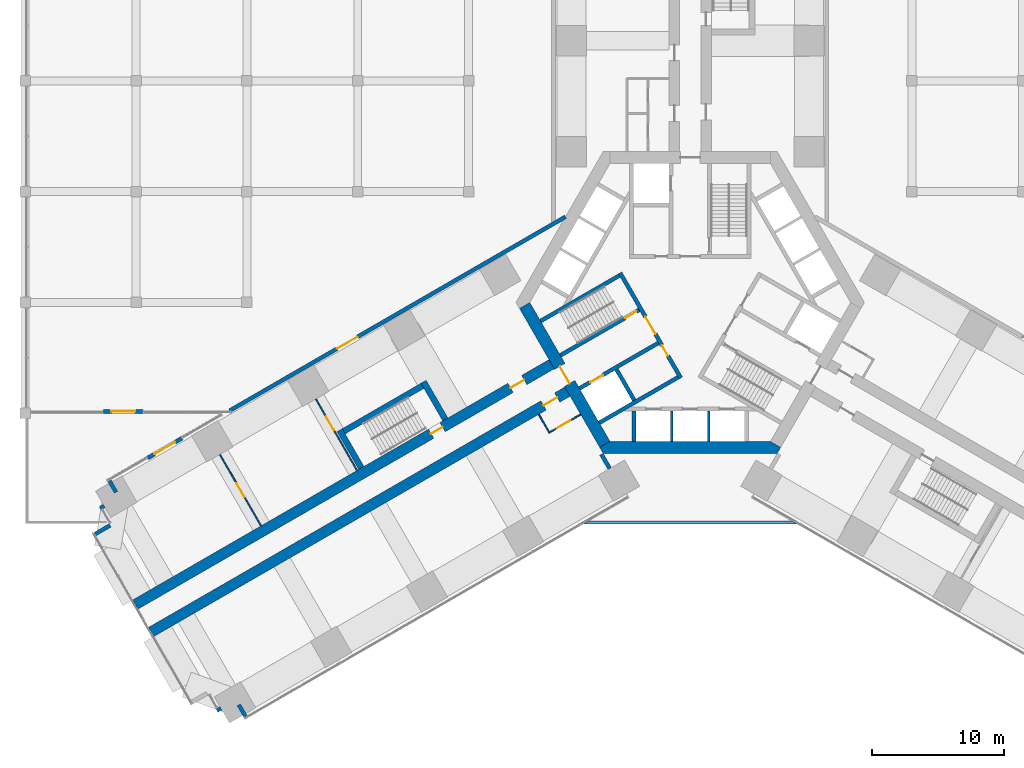
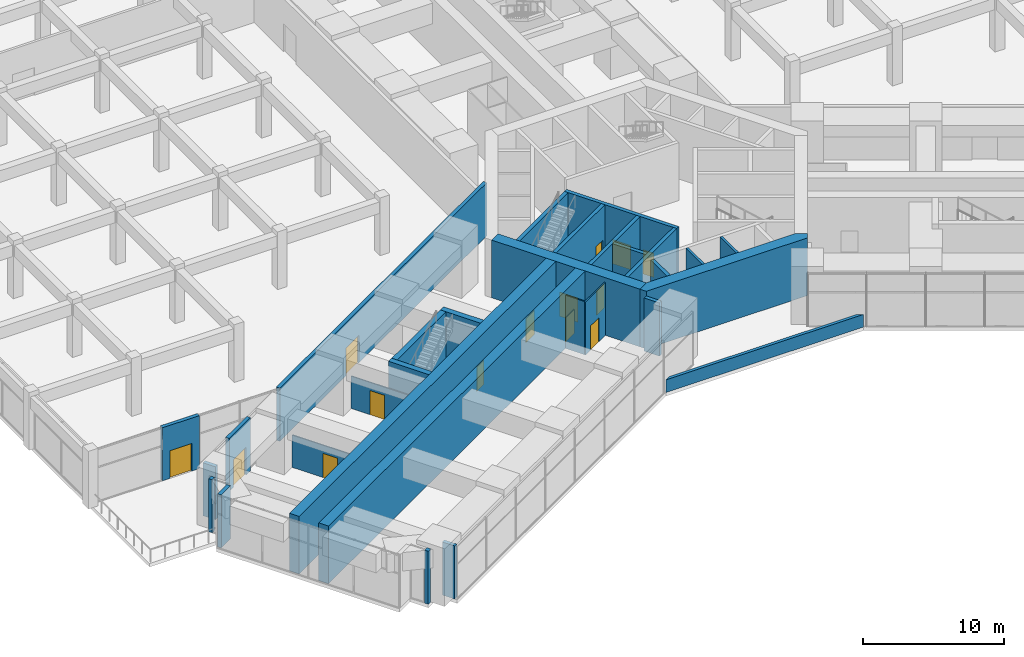
# One storey, part 27 of 33: 30 walls, 14 doors, 14 openings.
"""IFC4 building model written with IfcOpenShell, lengths in metres."""

from ifc_helpers import new_model, si_unit, direction, frame, frame_2d, origin, place, context, subcontext, project, spatial, polyline, rectangle, outline, extrude, material, layer, layer_set, type_object, element, fill, save


model = new_model("IFC4")

# Units and contexts
model_context = context("Model", 3, precision=1e-05, world=origin(), true_north=direction((0.0, 1.0)))
body_context = subcontext(model_context, "Body", "Model", "MODEL_VIEW")
ifc_project = project(units=[si_unit("LENGTHUNIT", "METRE"), si_unit("AREAUNIT", "SQUARE_METRE"), si_unit("VOLUMEUNIT", "CUBIC_METRE"), si_unit("PLANEANGLEUNIT", "RADIAN"), si_unit("MASSUNIT", "GRAM", prefix="KILO")], contexts=[model_context])

# Site, building, storey
site_placement = place(None, origin())
site = spatial("IfcSite", under=ifc_project, at=site_placement, CompositionType="ELEMENT")
building_placement = place(site_placement, origin())
building = spatial("IfcBuilding", under=site, at=building_placement, Name="Impinga Residences", CompositionType="ELEMENT")
storey_placement = place(building_placement, frame((0.0, 0.0, 21.0)))
storey = spatial("IfcBuildingStorey", under=building, at=storey_placement, Name="L04", CompositionType="ELEMENT", Elevation=21.0)

# Wall, opening, door
ifc_material_1 = material(Name="Concrete C70/85", Category="concrete")
ifc_layer_1 = layer(ifc_material_1, 0.800048828125)
ifc_layer_set_1 = layer_set([ifc_layer_1], Name="Concrete C70/85")
wall_type_1 = type_object("IfcWallType", Name="BW0 corridor buttress wall, B3 to L04 800", PredefinedType="SHEAR", material=ifc_layer_set_1)
wall_1_placement = place(storey_placement, frame((-8.910400390625, -6.530029296875, 0.0), z_axis=(0.0, 0.0, 1.0), x_axis=(-0.866026214035, -0.499998596603, 0.0)))
wall_1 = element("IfcWall", 1, at=wall_1_placement, inside=storey, type_object=wall_type_1, Name="Corridor wall BW0 WC L04", PredefinedType="SHEAR", context=body_context, shape_type="SweptSolid", body=[
    extrude(rectangle(XDim=36.8876953125, YDim=0.800048828125, at=frame_2d((18.44384765625, 0.0))), origin(), (0.0, 0.0, 1.0), 5.0),
])
opening_1_placement = place(wall_1_placement, frame((1.35009765625, 0.0, 0.0)))
opening_1 = element("IfcOpeningElement", 2, at=opening_1_placement, cuts=wall_1, Name="Opening D3", PredefinedType="OPENING", context=body_context, shape_type="SweptSolid", body=[
    extrude(rectangle(XDim=1.199951171875, YDim=2.10009765625, at=frame_2d((0.60009765625, 1.050048828125))), frame((0.0, 0.409912109375, 0.0), z_axis=(0.0, -1.0, 0.0), x_axis=(1.0, 0.0, 0.0)), (0.0, 0.0, 1.0), 0.820068359375),
])
ifc_material_2 = material(Name="Timber door set", Category="wood")
door_type_1 = type_object("IfcDoorType", Name="D3 room door, leaf and a half 1200x2100", OperationType="DOUBLE_SWING_LEFT", PredefinedType="DOOR", material=ifc_material_2)
door_1_placement = place(opening_1_placement, origin())
door_1 = element("IfcDoor", 3, at=door_1_placement, inside=storey, type_object=door_type_1, Name="Store lobby door L04-WA1", OperationType="DOUBLE_SWING_LEFT", OverallHeight=2.10009765625, OverallWidth=1.199951171875, PredefinedType="DOOR", context=body_context, shape_type="SweptSolid", body=[
    extrude(rectangle(XDim=1.199951171875, YDim=2.10009765625, at=frame_2d((0.60009765625, 1.050048828125))), frame((0.0, 0.02490234375, 0.0), z_axis=(0.0, -1.0, 0.0), x_axis=(1.0, 0.0, 0.0)), (0.0, 0.0, 1.0), 0.050048828125),
])
fill(opening_1, door_1)

# Wall, openings, doors
wall_2_placement = place(storey_placement, frame((-10.1103515625, -4.451416015625, 0.0), z_axis=(0.0, 0.0, 1.0), x_axis=(-0.866023348156, -0.500003560437, 0.0)))
wall_2 = element("IfcWall", 4, at=wall_2_placement, inside=storey, type_object=wall_type_1, Name="Corridor wall BW0 WD L04", PredefinedType="SHEAR", context=body_context, shape_type="SweptSolid", body=[
    extrude(rectangle(XDim=36.887939453125, YDim=0.800048828125, at=frame_2d((18.44384765625, 0.0))), origin(), (0.0, 0.0, 1.0), 5.0),
])
opening_2_placement = place(wall_2_placement, frame((10.0, 0.0, 0.0)))
opening_2 = element("IfcOpeningElement", 5, at=opening_2_placement, cuts=wall_2, Name="Opening D5", PredefinedType="OPENING", context=body_context, shape_type="SweptSolid", body=[
    extrude(rectangle(XDim=1.0, YDim=2.10009765625, at=frame_2d((0.5, 1.050048828125))), frame((0.0, 0.409912109375, 0.0), z_axis=(0.0, -1.0, 0.0), x_axis=(1.0, 0.0, 0.0)), (0.0, 0.0, 1.0), 0.820068359375),
])
opening_3_placement = place(wall_2_placement, frame((2.85009765625, 0.0, 0.0)))
opening_3 = element("IfcOpeningElement", 6, at=opening_3_placement, cuts=wall_2, Name="Opening D3", PredefinedType="OPENING", context=body_context, shape_type="SweptSolid", body=[
    extrude(rectangle(XDim=1.199951171875, YDim=2.10009765625, at=frame_2d((0.60009765625, 1.050048828125))), frame((0.0, 0.409912109375, 0.0), z_axis=(0.0, -1.0, 0.0), x_axis=(1.0, 0.0, 0.0)), (0.0, 0.0, 1.0), 0.820068359375),
])
door_2_placement = place(opening_3_placement, origin())
door_2 = element("IfcDoor", 7, at=door_2_placement, inside=storey, type_object=door_type_1, Name="Wine cellar door L04-WF1", OperationType="DOUBLE_SWING_LEFT", OverallHeight=2.10009765625, OverallWidth=1.199951171875, PredefinedType="DOOR", context=body_context, shape_type="SweptSolid", body=[
    extrude(rectangle(XDim=1.199951171875, YDim=2.10009765625, at=frame_2d((0.60009765625, 1.050048828125))), frame((0.0, 0.02490234375, 0.0), z_axis=(0.0, -1.0, 0.0), x_axis=(1.0, 0.0, 0.0)), (0.0, 0.0, 1.0), 0.050048828125),
])
fill(opening_3, door_2)
door_type_2 = type_object("IfcDoorType", Name="D5 stair door 1000x2100", OperationType="SINGLE_SWING_LEFT", PredefinedType="DOOR", material=ifc_material_2)
door_3_placement = place(opening_2_placement, origin())
door_3 = element("IfcDoor", 8, at=door_3_placement, inside=storey, type_object=door_type_2, Name="Wing stair door W", OperationType="SINGLE_SWING_LEFT", OverallHeight=2.10009765625, OverallWidth=1.0, PredefinedType="DOOR", context=body_context, shape_type="SweptSolid", body=[
    extrude(rectangle(XDim=1.0, YDim=2.10009765625, at=frame_2d((0.5, 1.050048828125))), frame((0.0, 0.02490234375, 0.0), z_axis=(0.0, -1.0, 0.0), x_axis=(1.0, 0.0, 0.0)), (0.0, 0.0, 1.0), 0.050048828125),
])
fill(opening_2, door_3)

# Wall, opening, door
ifc_material_3 = material(Name="Concrete blockwork", Category="masonry")
ifc_layer_2 = layer(ifc_material_3, 0.10009765625)
ifc_layer_set_2 = layer_set([ifc_layer_2], Name="CP1 core room partition, blockwork 100")
wall_type_2 = type_object("IfcWallType", Name="CP1 core room partition, blockwork 100", PredefinedType="PARTITIONING", material=ifc_layer_set_2)
wall_3_placement = place(storey_placement, frame((-8.300048828125, -8.487060546875, 0.0), z_axis=(0.0, 0.0, 1.0), x_axis=(-0.866034573852, -0.49998411664, 0.0)))
wall_3 = element("IfcWall", 9, at=wall_3_placement, inside=storey, type_object=wall_type_2, Name="Core room partition, blockwork L04-WA1:L1", PredefinedType="PARTITIONING", context=body_context, shape_type="SweptSolid", body=[
    extrude(rectangle(XDim=2.7998046875, YDim=0.10009765625, at=frame_2d((1.39990234375, 0.0))), origin(), (0.0, 0.0, 1.0), 4.60009765625),
])
opening_4_placement = place(wall_3_placement, frame((0.89990234375, 0.0, 0.0)))
opening_4 = element("IfcOpeningElement", 10, at=opening_4_placement, cuts=wall_3, Name="Opening D3", PredefinedType="OPENING", context=body_context, shape_type="SweptSolid", body=[
    extrude(rectangle(XDim=1.199951171875, YDim=2.10009765625, at=frame_2d((0.60009765625, 1.050048828125))), frame((0.0, 0.06005859375, 0.0), z_axis=(0.0, -1.0, 0.0), x_axis=(1.0, 0.0, 0.0)), (0.0, 0.0, 1.0), 0.1201171875),
])
door_4_placement = place(opening_4_placement, origin())
door_4 = element("IfcDoor", 11, at=door_4_placement, inside=storey, type_object=door_type_1, Name="Store door L04-WA1", OperationType="DOUBLE_SWING_LEFT", OverallHeight=2.10009765625, OverallWidth=1.199951171875, PredefinedType="DOOR", context=body_context, shape_type="SweptSolid", body=[
    extrude(rectangle(XDim=1.199951171875, YDim=2.10009765625, at=frame_2d((0.60009765625, 1.050048828125))), frame((0.0, 0.02490234375, 0.0), z_axis=(0.0, -1.0, 0.0), x_axis=(1.0, 0.0, 0.0)), (0.0, 0.0, 1.0), 0.050048828125),
])
fill(opening_4, door_4)

# Wall
wall_4_placement = place(storey_placement, frame((-11.481689453125, -8.476318359375, 0.0), z_axis=(0.0, 0.0, 1.0), x_axis=(0.500017819788, -0.86601511528, 0.0)))
element("IfcWall", 12, at=wall_4_placement, inside=storey, type_object=wall_type_2, Name="Core room partition, blockwork L04-WA1:L2", PredefinedType="PARTITIONING", context=body_context, shape_type="SweptSolid", body=[
    extrude(rectangle(XDim=1.55029296875, YDim=0.10009765625, at=frame_2d((0.775146484375, 0.0))), origin(), (0.0, 0.0, 1.0), 4.60009765625),
])

# Wall, opening, door
wall_5_placement = place(storey_placement, frame((-25.249267578125, -12.730224609375, 0.0), z_axis=(0.0, 0.0, 1.0), x_axis=(-0.499987320047, 0.866032724435, 0.0)))
wall_5 = element("IfcWall", 13, at=wall_5_placement, inside=storey, type_object=wall_type_2, Name="Core room partition, blockwork L04-WF1:PS1", PredefinedType="PARTITIONING", context=body_context, shape_type="SweptSolid", body=[
    extrude(rectangle(XDim=6.250244140625, YDim=0.10009765625, at=frame_2d((3.125, 0.0))), origin(), (0.0, 0.0, 1.0), 2.800048828125),
])
opening_5_placement = place(wall_5_placement, frame((3.52490234375, 0.0, 0.0)))
opening_5 = element("IfcOpeningElement", 14, at=opening_5_placement, cuts=wall_5, Name="Opening D3", PredefinedType="OPENING", context=body_context, shape_type="SweptSolid", body=[
    extrude(rectangle(XDim=1.199951171875, YDim=2.10009765625, at=frame_2d((0.60009765625, 1.050048828125))), frame((0.0, 0.06005859375, 0.0), z_axis=(0.0, -1.0, 0.0), x_axis=(1.0, 0.0, 0.0)), (0.0, 0.0, 1.0), 0.1201171875),
])
door_5_placement = place(opening_5_placement, origin())
door_5 = element("IfcDoor", 15, at=door_5_placement, inside=storey, type_object=door_type_1, Name="Wine tasting room door L04-WF1", OperationType="DOUBLE_SWING_LEFT", OverallHeight=2.10009765625, OverallWidth=1.199951171875, PredefinedType="DOOR", context=body_context, shape_type="SweptSolid", body=[
    extrude(rectangle(XDim=1.199951171875, YDim=2.10009765625, at=frame_2d((0.60009765625, 1.050048828125))), frame((0.0, 0.02490234375, 0.0), z_axis=(0.0, -1.0, 0.0), x_axis=(1.0, 0.0, 0.0)), (0.0, 0.0, 1.0), 0.050048828125),
])
fill(opening_5, door_5)

wall_6_placement = place(storey_placement, frame((-32.52392578125, -16.93017578125, 0.0), z_axis=(0.0, 0.0, 1.0), x_axis=(-0.500004234368, 0.866022959057, 0.0)))
wall_6 = element("IfcWall", 16, at=wall_6_placement, inside=storey, type_object=wall_type_2, Name="Core room partition, blockwork L04-WF1:PS2", PredefinedType="PARTITIONING", context=body_context, shape_type="SweptSolid", body=[
    extrude(rectangle(XDim=6.25, YDim=0.10009765625, at=frame_2d((3.125, 0.0))), origin(), (0.0, 0.0, 1.0), 2.800048828125),
])
opening_6_placement = place(wall_6_placement, frame((2.52490234375, 0.0, 0.0)))
opening_6 = element("IfcOpeningElement", 17, at=opening_6_placement, cuts=wall_6, Name="Opening D3", PredefinedType="OPENING", context=body_context, shape_type="SweptSolid", body=[
    extrude(rectangle(XDim=1.199951171875, YDim=2.10009765625, at=frame_2d((0.60009765625, 1.050048828125))), frame((0.0, 0.06005859375, 0.0), z_axis=(0.0, -1.0, 0.0), x_axis=(1.0, 0.0, 0.0)), (0.0, 0.0, 1.0), 0.1201171875),
])
door_6_placement = place(opening_6_placement, origin())
door_6 = element("IfcDoor", 18, at=door_6_placement, inside=storey, type_object=door_type_1, Name="Cellar store door L04-WF1", OperationType="DOUBLE_SWING_LEFT", OverallHeight=2.10009765625, OverallWidth=1.199951171875, PredefinedType="DOOR", context=body_context, shape_type="SweptSolid", body=[
    extrude(rectangle(XDim=1.199951171875, YDim=2.10009765625, at=frame_2d((0.60009765625, 1.050048828125))), frame((0.0, 0.02490234375, 0.0), z_axis=(0.0, -1.0, 0.0), x_axis=(1.0, 0.0, 0.0)), (0.0, 0.0, 1.0), 0.050048828125),
])
fill(opening_6, door_6)

# Walls
ifc_material_4 = material(Name="Stone facing on blockwork", Category="masonry")
ifc_layer_3 = layer(ifc_material_4, 0.300048828125)
ifc_layer_set_3 = layer_set([ifc_layer_3], Name="EW2 external wall, stone facing on blockwork 300")
wall_type_3 = type_object("IfcWallType", Name="EW2 external wall, stone facing on blockwork 300", PredefinedType="SOLIDWALL", material=ifc_layer_set_3)
wall_7_placement = place(storey_placement, frame((-35.572021484375, -30.756591796875, 0.0), z_axis=(0.0, 0.0, 1.0), x_axis=(-0.865939549016, -0.500148675346, 0.0)))
element("IfcWall", 19, at=wall_7_placement, inside=storey, type_object=wall_type_3, Name="External wall EW2 L04", PredefinedType="SOLIDWALL", context=body_context, shape_type="SweptSolid", body=[
    extrude(rectangle(XDim=0.34716796875, YDim=0.300048828125, at=frame_2d((0.173583984375, 0.0))), origin(), (0.0, 0.0, 1.0), 4.60009765625),
])
wall_8_placement = place(storey_placement, frame((-45.1025390625, -17.552978515625, 0.0), z_axis=(0.0, 0.0, 1.0), x_axis=(0.865974499684, 0.500088158126, 0.0)))
element("IfcWall", 20, at=wall_8_placement, inside=storey, type_object=wall_type_3, Name="External wall EW2 L04", PredefinedType="SOLIDWALL", context=body_context, shape_type="SweptSolid", body=[
    extrude(rectangle(XDim=1.309814453125, YDim=0.300048828125, at=frame_2d((0.65478515625, 0.0))), origin(), (0.0, 0.0, 1.0), 4.60009765625),
])
wall_9_placement = place(storey_placement, frame((-44.722412109375, -15.6015625, 0.0), z_axis=(0.0, 0.0, 1.0), x_axis=(0.865939549016, 0.500148675346, 0.0)))
element("IfcWall", 21, at=wall_9_placement, inside=storey, type_object=wall_type_3, Name="External wall EW2 L04", PredefinedType="SOLIDWALL", context=body_context, shape_type="SweptSolid", body=[
    extrude(rectangle(XDim=0.34716796875, YDim=0.300048828125, at=frame_2d((0.173583984375, 0.0))), origin(), (0.0, 0.0, 1.0), 4.60009765625),
])
wall_10_placement = place(storey_placement, frame((-43.5185546875, -14.38671875, 0.0), z_axis=(0.0, 0.0, 1.0), x_axis=(-0.499953773667, 0.866052090925, 0.0)))
element("IfcWall", 22, at=wall_10_placement, inside=storey, type_object=wall_type_3, Name="External wall EW2 L04", PredefinedType="SOLIDWALL", context=body_context, shape_type="SweptSolid", body=[
    extrude(rectangle(XDim=1.0048828125, YDim=0.300048828125, at=frame_2d((0.50244140625, 0.0))), origin(), (0.0, 0.0, 1.0), 4.60009765625),
])

# Wall, opening, door
wall_11_placement = place(storey_placement, frame((-41.122802734375, -11.791259765625, 0.0), z_axis=(0.0, 0.0, 1.0), x_axis=(0.866010750942, 0.50002537861, 0.0)))
wall_11 = element("IfcWall", 23, at=wall_11_placement, inside=storey, type_object=wall_type_3, Name="External wall EW2 L04", PredefinedType="SOLIDWALL", context=body_context, shape_type="SweptSolid", body=[
    extrude(rectangle(XDim=2.999755859375, YDim=0.300048828125, at=frame_2d((1.5, 0.0))), origin(), (0.0, 0.0, 1.0), 4.60009765625),
])
opening_7_placement = place(wall_11_placement, frame((0.60009765625, 0.0, 0.0)))
opening_7 = element("IfcOpeningElement", 24, at=opening_7_placement, cuts=wall_11, Name="Opening TD2", PredefinedType="OPENING", context=body_context, shape_type="SweptSolid", body=[
    extrude(rectangle(XDim=1.800048828125, YDim=2.39990234375, at=frame_2d((0.89990234375, 1.199951171875))), frame((0.0, 0.159912109375, 0.0), z_axis=(0.0, -1.0, 0.0), x_axis=(1.0, 0.0, 0.0)), (0.0, 0.0, 1.0), 0.320068359375),
])
ifc_material_5 = material(Name="Glazed aluminium door", Category="aluminium")
door_type_3 = type_object("IfcDoorType", Name="TD2 terrace door pair 1800x2400", OperationType="DOUBLE_DOOR_SINGLE_SWING", PredefinedType="DOOR", material=ifc_material_5)
door_7_placement = place(opening_7_placement, origin())
door_7 = element("IfcDoor", 25, at=door_7_placement, inside=storey, type_object=door_type_3, Name="Terrace doors L04", OperationType="DOUBLE_DOOR_SINGLE_SWING", OverallHeight=2.39990234375, OverallWidth=1.800048828125, PredefinedType="DOOR", context=body_context, shape_type="SweptSolid", body=[
    extrude(rectangle(XDim=1.800048828125, YDim=2.39990234375, at=frame_2d((0.89990234375, 1.199951171875))), frame((0.0, 0.02490234375, 0.0), z_axis=(0.0, -1.0, 0.0), x_axis=(1.0, 0.0, 0.0)), (0.0, 0.0, 1.0), 0.050048828125),
])
fill(opening_7, door_7)

wall_12_placement = place(storey_placement, frame((-41.474609375, -8.25, 0.0), z_axis=(0.0, 0.0, 1.0), x_axis=(-1.0, 0.0, 0.0)))
wall_12 = element("IfcWall", 26, at=wall_12_placement, inside=storey, type_object=wall_type_3, Name="External wall EW2 L04", PredefinedType="SOLIDWALL", context=body_context, shape_type="SweptSolid", body=[
    extrude(rectangle(XDim=3.0, YDim=0.300048828125, at=frame_2d((1.5, 0.0))), origin(), (0.0, 0.0, 1.0), 4.60009765625),
])
opening_8_placement = place(wall_12_placement, frame((0.60009765625, 0.0, 0.0)))
opening_8 = element("IfcOpeningElement", 27, at=opening_8_placement, cuts=wall_12, Name="Opening TD2", PredefinedType="OPENING", context=body_context, shape_type="SweptSolid", body=[
    extrude(rectangle(XDim=1.800048828125, YDim=2.39990234375, at=frame_2d((0.89990234375, 1.199951171875))), frame((0.0, 0.159912109375, 0.0), z_axis=(0.0, -1.0, 0.0), x_axis=(1.0, 0.0, 0.0)), (0.0, 0.0, 1.0), 0.320068359375),
])
door_8_placement = place(opening_8_placement, origin())
door_8 = element("IfcDoor", 28, at=door_8_placement, inside=storey, type_object=door_type_3, Name="Terrace doors L04", OperationType="DOUBLE_DOOR_SINGLE_SWING", OverallHeight=2.39990234375, OverallWidth=1.800048828125, PredefinedType="DOOR", context=body_context, shape_type="SweptSolid", body=[
    extrude(rectangle(XDim=1.800048828125, YDim=2.39990234375, at=frame_2d((0.89990234375, 1.199951171875))), frame((0.0, 0.02490234375, 0.0), z_axis=(0.0, -1.0, 0.0), x_axis=(1.0, 0.0, 0.0)), (0.0, 0.0, 1.0), 0.050048828125),
])
fill(opening_8, door_8)

# Walls
wall_13_placement = place(storey_placement, frame((-6.72998046875, -11.506591796875, 0.0), z_axis=(0.0, 0.0, 1.0), x_axis=(0.500004234368, -0.866022959057, 0.0)))
element("IfcWall", 29, at=wall_13_placement, inside=storey, type_object=wall_type_3, Name="External wall EW2 L04", PredefinedType="SOLIDWALL", context=body_context, shape_type="SweptSolid", body=[
    extrude(rectangle(XDim=1.25, YDim=0.300048828125, at=frame_2d((0.625, 0.0))), origin(), (0.0, 0.0, 1.0), 4.60009765625),
])
wall_14_placement = place(storey_placement, frame((-33.716064453125, -31.365234375, 0.0), z_axis=(0.0, 0.0, 1.0), x_axis=(-0.499953773667, 0.866052090925, 0.0)))
element("IfcWall", 30, at=wall_14_placement, inside=storey, type_object=wall_type_3, Name="External wall EW2 L04", PredefinedType="SOLIDWALL", context=body_context, shape_type="SweptSolid", body=[
    extrude(rectangle(XDim=1.0048828125, YDim=0.300048828125, at=frame_2d((0.50244140625, 0.0))), origin(), (0.0, 0.0, 1.0), 4.60009765625),
])
ifc_material_6 = material(Name="Concrete C60/75", Category="concrete")
ifc_layer_4 = layer(ifc_material_6, 0.25)
ifc_layer_set_4 = layer_set([ifc_layer_4], Name="Concrete C60/75")
wall_type_4 = type_object("IfcWallType", Name="PA1 roof parapet 250", PredefinedType="PARAPET", material=ifc_layer_set_4)
wall_15_placement = place(storey_placement, origin())
element("IfcWall", 31, at=wall_15_placement, inside=storey, type_object=wall_type_4, Name="Parapet PA1 L04", PredefinedType="PARAPET", context=body_context, shape_type="SweptSolid", body=[
    extrude(outline(polyline([(8.096435546875, -16.800048828125), (-8.096435546875, -16.800048828125), (-7.663330078125, -16.550048828125), (7.663330078125, -16.550048828125), (8.096435546875, -16.800048828125)])), origin(), (0.0, 0.0, 1.0), 1.10009765625),
])

# Wall, opening, door
ifc_layer_5 = layer(ifc_material_3, 0.300048828125)
ifc_layer_set_5 = layer_set([ifc_layer_5], Name="PW3 podium wall on the wing face 300")
wall_type_5 = type_object("IfcWallType", Name="PW3 podium wall on the wing face 300", PredefinedType="SOLIDWALL", material=ifc_layer_set_5)
wall_16_placement = place(storey_placement, frame((-9.449951171875, 6.4951171875, 0.0), z_axis=(0.0, 0.0, 1.0), x_axis=(-0.866027750123, -0.499995936, 0.0)))
wall_16 = element("IfcWall", 32, at=wall_16_placement, inside=storey, type_object=wall_type_5, Name="Podium wall on the wing face L04:SIDE:WF0", PredefinedType="SOLIDWALL", context=body_context, shape_type="SweptSolid", body=[
    extrude(rectangle(XDim=29.390380859375, YDim=0.300048828125, at=frame_2d((14.6953125, 0.0))), origin(), (0.0, 0.0, 1.0), 4.60009765625),
])
opening_9_placement = place(wall_16_placement, frame((18.1953125, 0.0, 0.0)))
opening_9 = element("IfcOpeningElement", 33, at=opening_9_placement, cuts=wall_16, Name="Opening D7", PredefinedType="OPENING", context=body_context, shape_type="SweptSolid", body=[
    extrude(rectangle(XDim=1.800048828125, YDim=2.39990234375, at=frame_2d((0.89990234375, 1.199951171875))), frame((0.0, 0.159912109375, 0.0), z_axis=(0.0, -1.0, 0.0), x_axis=(1.0, 0.0, 0.0)), (0.0, 0.0, 1.0), 0.320068359375),
])
door_type_4 = type_object("IfcDoorType", Name="D7 podium door pair 1800x2400", OperationType="DOUBLE_DOOR_DOUBLE_SWING", PredefinedType="DOOR", material=ifc_material_2)
door_9_placement = place(opening_9_placement, origin())
door_9 = element("IfcDoor", 34, at=door_9_placement, inside=storey, type_object=door_type_4, Name="Double door WF", OperationType="DOUBLE_DOOR_DOUBLE_SWING", OverallHeight=2.39990234375, OverallWidth=1.800048828125, PredefinedType="DOOR", context=body_context, shape_type="SweptSolid", body=[
    extrude(rectangle(XDim=1.800048828125, YDim=2.39990234375, at=frame_2d((0.89990234375, 1.199951171875))), frame((0.0, 0.02490234375, 0.0), z_axis=(0.0, -1.0, 0.0), x_axis=(1.0, 0.0, 0.0)), (0.0, 0.0, 1.0), 0.050048828125),
])
fill(opening_9, door_9)

# Walls
ifc_layer_6 = layer(ifc_material_6, 0.449951171875)
ifc_layer_set_6 = layer_set([ifc_layer_6], Name="Concrete C60/75")
wall_type_6 = type_object("IfcWallType", Name="SE2 wing stair enclosure wall, ground and podium storeys 450", PredefinedType="SOLIDWALL", material=ifc_layer_set_6)
for number, where, z_axis, x_axis, name in (
    (35, (-18.55908203125, -8.86767578125, 0.0), (0.0, 0.0, 1.0), (-0.50002983664, 0.866008176907, 0.0), "Stair enclosure wall SE2 W END0 L04"),
    (36, (-24.924560546875, -12.542724609375, 0.0), (0.0, 0.0, 1.0), (-0.499974350878, 0.866040211805, 0.0), "Stair enclosure wall SE2 W END1 L04"),
):
    element("IfcWall", number, at=place(storey_placement, frame(where, z_axis=z_axis, x_axis=x_axis)), inside=storey, type_object=wall_type_6, Name=name, PredefinedType="SOLIDWALL", context=body_context, shape_type="SweptSolid", body=[
        extrude(rectangle(XDim=3.300048828125, YDim=0.449951171875, at=frame_2d((1.64990234375, 0.0))), origin(), (0.0, 0.0, 1.0), 5.0),
    ])
wall_17_placement = place(storey_placement, frame((-20.29150390625, -6.317138671875, 0.0), z_axis=(0.0, 0.0, 1.0), x_axis=(-0.866028853923, -0.499994024137, 0.0)))
element("IfcWall", 37, at=wall_17_placement, inside=storey, type_object=wall_type_6, Name="Stair enclosure wall SE2 W OUT L04", PredefinedType="SOLIDWALL", context=body_context, shape_type="SweptSolid", body=[
    extrude(rectangle(XDim=6.89990234375, YDim=0.449951171875, at=frame_2d((3.449951171875, 0.0))), origin(), (0.0, 0.0, 1.0), 5.0),
])

# Wall, opening, door
ifc_layer_7 = layer(ifc_material_1, 0.89990234375)
ifc_layer_set_7 = layer_set([ifc_layer_7], Name="Concrete C70/85")
wall_type_7 = type_object("IfcWallType", Name="SW1 core wall 900", PredefinedType="SHEAR", material=ifc_layer_set_7)
wall_18_placement = place(storey_placement, frame((-6.47021484375, -10.756591796875, 0.0), z_axis=(0.0, 0.0, 1.0), x_axis=(-0.499997612506, 0.8660267822, 0.0)))
wall_18 = element("IfcWall", 38, at=wall_18_placement, inside=storey, type_object=wall_type_7, Name="Core wall SW1 W:FACE L04", PredefinedType="SHEAR", context=body_context, shape_type="SweptSolid", body=[
    extrude(rectangle(XDim=12.16064453125, YDim=0.89990234375, at=frame_2d((6.080322265625, 0.0))), origin(), (0.0, 0.0, 1.0), 5.0),
])
opening_10_placement = place(wall_18_placement, frame((5.330322265625, 0.0, 0.0)))
opening_10 = element("IfcOpeningElement", 39, at=opening_10_placement, cuts=wall_18, Name="Opening D4", PredefinedType="OPENING", context=body_context, shape_type="SweptSolid", body=[
    extrude(rectangle(XDim=1.5, YDim=2.10009765625, at=frame_2d((0.75, 1.050048828125))), frame((0.0, 0.4599609375, 0.0), z_axis=(0.0, -1.0, 0.0), x_axis=(1.0, 0.0, 0.0)), (0.0, 0.0, 1.0), 0.919921875),
])
door_type_5 = type_object("IfcDoorType", Name="D4 lobby door pair 1500x2100", OperationType="DOUBLE_DOOR_DOUBLE_SWING", PredefinedType="DOOR", material=ifc_material_2)
door_10_placement = place(opening_10_placement, origin())
door_10 = element("IfcDoor", 40, at=door_10_placement, inside=storey, type_object=door_type_5, Name="Lobby door W", OperationType="DOUBLE_DOOR_DOUBLE_SWING", OverallHeight=2.10009765625, OverallWidth=1.5, PredefinedType="DOOR", context=body_context, shape_type="SweptSolid", body=[
    extrude(rectangle(XDim=1.5, YDim=2.10009765625, at=frame_2d((0.75, 1.050048828125))), frame((0.0, 0.02490234375, 0.0), z_axis=(0.0, -1.0, 0.0), x_axis=(1.0, 0.0, 0.0)), (0.0, 0.0, 1.0), 0.050048828125),
])
fill(opening_10, door_10)

# Wall
wall_19_placement = place(storey_placement, origin())
element("IfcWall", 41, at=wall_19_placement, inside=storey, type_object=wall_type_7, Name="Core wall SW1 N:EXPOSED L04", PredefinedType="SHEAR", context=body_context, shape_type="SweptSolid", body=[
    extrude(outline(polyline([(-6.60009765625, -11.431640625), (6.60009765625, -11.431640625), (6.85986328125, -10.9814453125), (6.080322265625, -10.531494140625), (-6.080322265625, -10.531494140625), (-6.85986328125, -10.9814453125), (-6.60009765625, -11.431640625)])), origin(), (0.0, 0.0, 1.0), 5.0),
])

# Wall, openings, doors
ifc_layer_8 = layer(ifc_material_1, 0.300048828125)
ifc_layer_set_8 = layer_set([ifc_layer_8], Name="Concrete C70/85")
wall_type_8 = type_object("IfcWallType", Name="SW5 core inner wall, stairs, shafts and lobbies 300", PredefinedType="SHEAR", material=ifc_layer_set_8)
wall_20_placement = place(storey_placement, frame((-0.7138671875, -5.7236328125, 0.0), z_axis=(0.0, 0.0, 1.0), x_axis=(-0.499995050369, 0.866028261437, 0.0)))
wall_20 = element("IfcWall", 42, at=wall_20_placement, inside=storey, type_object=wall_type_8, Name="Core wall SW5 W:ZONE L04", PredefinedType="SHEAR", context=body_context, shape_type="SweptSolid", body=[
    extrude(rectangle(XDim=9.19970703125, YDim=0.300048828125, at=frame_2d((4.599853515625, 0.0))), origin(), (0.0, 0.0, 1.0), 5.0),
])
opening_11_placement = place(wall_20_placement, frame((3.85009765625, 0.0, 0.0)))
opening_11 = element("IfcOpeningElement", 43, at=opening_11_placement, cuts=wall_20, Name="Opening D4", PredefinedType="OPENING", context=body_context, shape_type="SweptSolid", body=[
    extrude(rectangle(XDim=1.5, YDim=2.10009765625, at=frame_2d((0.75, 1.050048828125))), frame((0.0, 0.159912109375, 0.0), z_axis=(0.0, -1.0, 0.0), x_axis=(1.0, 0.0, 0.0)), (0.0, 0.0, 1.0), 0.320068359375),
])
opening_12_placement = place(wall_20_placement, frame((1.949951171875, 0.0, 0.0)))
opening_12 = element("IfcOpeningElement", 44, at=opening_12_placement, cuts=wall_20, Name="Opening D6", PredefinedType="OPENING", context=body_context, shape_type="SweptSolid", body=[
    extrude(rectangle(XDim=0.89990234375, YDim=2.10009765625, at=frame_2d((0.449951171875, 1.050048828125))), frame((0.0, 0.159912109375, 0.0), z_axis=(0.0, -1.0, 0.0), x_axis=(1.0, 0.0, 0.0)), (0.0, 0.0, 1.0), 0.320068359375),
])
door_11_placement = place(opening_11_placement, origin())
door_11 = element("IfcDoor", 45, at=door_11_placement, inside=storey, type_object=door_type_5, Name="Firefighting lobby door W", OperationType="DOUBLE_DOOR_DOUBLE_SWING", OverallHeight=2.10009765625, OverallWidth=1.5, PredefinedType="DOOR", context=body_context, shape_type="SweptSolid", body=[
    extrude(rectangle(XDim=1.5, YDim=2.10009765625, at=frame_2d((0.75, 1.050048828125))), frame((0.0, 0.02490234375, 0.0), z_axis=(0.0, -1.0, 0.0), x_axis=(1.0, 0.0, 0.0)), (0.0, 0.0, 1.0), 0.050048828125),
])
fill(opening_11, door_11)
door_type_6 = type_object("IfcDoorType", Name="D6 riser and store door 900x2100", OperationType="SINGLE_SWING_LEFT", PredefinedType="DOOR", material=ifc_material_2)
door_12_placement = place(opening_12_placement, origin())
door_12 = element("IfcDoor", 46, at=door_12_placement, inside=storey, type_object=door_type_6, Name="Riser door W", OperationType="SINGLE_SWING_LEFT", OverallHeight=2.10009765625, OverallWidth=0.89990234375, PredefinedType="DOOR", context=body_context, shape_type="SweptSolid", body=[
    extrude(rectangle(XDim=0.89990234375, YDim=2.10009765625, at=frame_2d((0.449951171875, 1.050048828125))), frame((0.0, 0.02490234375, 0.0), z_axis=(0.0, -1.0, 0.0), x_axis=(1.0, 0.0, 0.0)), (0.0, 0.0, 1.0), 0.050048828125),
])
fill(opening_12, door_12)

# Wall, opening, door
wall_21_placement = place(storey_placement, frame((-3.86865234375, -0.559326171875, 0.0), z_axis=(0.0, 0.0, 1.0), x_axis=(-0.86602711848, -0.499997030048, 0.0)))
wall_21 = element("IfcWall", 47, at=wall_21_placement, inside=storey, type_object=wall_type_8, Name="Core wall SW5 W:ST-IN L04", PredefinedType="SHEAR", context=body_context, shape_type="SweptSolid", body=[
    extrude(rectangle(XDim=6.9013671875, YDim=0.300048828125, at=frame_2d((3.45068359375, 0.0))), origin(), (0.0, 0.0, 1.0), 5.0),
])
opening_13_placement = place(wall_21_placement, frame((0.25, 0.0, 0.0)))
opening_13 = element("IfcOpeningElement", 48, at=opening_13_placement, cuts=wall_21, Name="Opening D5", PredefinedType="OPENING", context=body_context, shape_type="SweptSolid", body=[
    extrude(rectangle(XDim=1.0, YDim=2.10009765625, at=frame_2d((0.5, 1.050048828125))), frame((0.0, 0.159912109375, 0.0), z_axis=(0.0, -1.0, 0.0), x_axis=(1.0, 0.0, 0.0)), (0.0, 0.0, 1.0), 0.320068359375),
])
door_13_placement = place(opening_13_placement, origin())
door_13 = element("IfcDoor", 49, at=door_13_placement, inside=storey, type_object=door_type_2, Name="Stair door W", OperationType="SINGLE_SWING_LEFT", OverallHeight=2.10009765625, OverallWidth=1.0, PredefinedType="DOOR", context=body_context, shape_type="SweptSolid", body=[
    extrude(rectangle(XDim=1.0, YDim=2.10009765625, at=frame_2d((0.5, 1.050048828125))), frame((0.0, 0.02490234375, 0.0), z_axis=(0.0, -1.0, 0.0), x_axis=(1.0, 0.0, 0.0)), (0.0, 0.0, 1.0), 0.050048828125),
])
fill(opening_13, door_13)

# Wall
wall_22_placement = place(storey_placement, frame((-5.36865234375, 2.038818359375, 0.0), z_axis=(0.0, 0.0, 1.0), x_axis=(-0.86602711848, -0.499997030048, 0.0)))
element("IfcWall", 50, at=wall_22_placement, inside=storey, type_object=wall_type_8, Name="Core wall SW5 W:ST-OUT L04", PredefinedType="SHEAR", context=body_context, shape_type="SweptSolid", body=[
    extrude(rectangle(XDim=6.9013671875, YDim=0.300048828125, at=frame_2d((3.45068359375, 0.0))), origin(), (0.0, 0.0, 1.0), 5.0),
])

# Wall, opening, door
wall_23_placement = place(storey_placement, frame((-2.418701171875, -3.07080078125, 0.0), z_axis=(0.0, 0.0, 1.0), x_axis=(-0.86602711848, -0.499997030048, 0.0)))
wall_23 = element("IfcWall", 51, at=wall_23_placement, inside=storey, type_object=wall_type_8, Name="Core wall SW5 W:FF-IN L04", PredefinedType="SHEAR", context=body_context, shape_type="SweptSolid", body=[
    extrude(rectangle(XDim=6.9013671875, YDim=0.300048828125, at=frame_2d((3.45068359375, 0.0))), origin(), (0.0, 0.0, 1.0), 5.0),
])
opening_14_placement = place(wall_23_placement, frame((4.85009765625, 0.0, 0.0)))
opening_14 = element("IfcOpeningElement", 52, at=opening_14_placement, cuts=wall_23, Name="Opening LD2", PredefinedType="OPENING", context=body_context, shape_type="SweptSolid", body=[
    extrude(rectangle(XDim=1.10009765625, YDim=2.10009765625, at=frame_2d((0.550048828125, 1.050048828125))), frame((0.0, 0.159912109375, 0.0), z_axis=(0.0, -1.0, 0.0), x_axis=(1.0, 0.0, 0.0)), (0.0, 0.0, 1.0), 0.320068359375),
])
ifc_material_7 = material(Name="Steel lift landing door", Category="steel")
door_type_7 = type_object("IfcDoorType", Name="LD2 firefighting lift landing door 1100x2100", OperationType="DOUBLE_DOOR_SLIDING", PredefinedType="DOOR", material=ifc_material_7)
door_14_placement = place(opening_14_placement, origin())
door_14 = element("IfcDoor", 53, at=door_14_placement, inside=storey, type_object=door_type_7, Name="Firefighting lift landing door F2", OperationType="DOUBLE_DOOR_SLIDING", OverallHeight=2.10009765625, OverallWidth=1.10009765625, PredefinedType="DOOR", context=body_context, shape_type="SweptSolid", body=[
    extrude(rectangle(XDim=1.10009765625, YDim=2.10009765625, at=frame_2d((0.550048828125, 1.050048828125))), frame((0.0, 0.02490234375, 0.0), z_axis=(0.0, -1.0, 0.0), x_axis=(1.0, 0.0, 0.0)), (0.0, 0.0, 1.0), 0.050048828125),
])
fill(opening_14, door_14)

# Walls
wall_24_placement = place(storey_placement, frame((-0.918701171875, -5.668701171875, 0.0), z_axis=(0.0, 0.0, 1.0), x_axis=(-0.866011800373, -0.500023561059, 0.0)))
element("IfcWall", 54, at=wall_24_placement, inside=storey, type_object=wall_type_8, Name="Core wall SW5 W:FF-OUT L04", PredefinedType="SHEAR", context=body_context, shape_type="SweptSolid", body=[
    extrude(rectangle(XDim=6.901611328125, YDim=0.300048828125, at=frame_2d((3.45068359375, 0.0))), origin(), (0.0, 0.0, 1.0), 5.0),
])
wall_25_placement = place(storey_placement, frame((-4.2412109375, -7.413818359375, 0.0), z_axis=(0.0, 0.0, 1.0), x_axis=(-0.500048589285, 0.86599734893, 0.0)))
element("IfcWall", 55, at=wall_25_placement, inside=storey, type_object=wall_type_8, Name="Core wall SW5 W:FF-RS L04", PredefinedType="SHEAR", context=body_context, shape_type="SweptSolid", body=[
    extrude(rectangle(XDim=2.699951171875, YDim=0.300048828125, at=frame_2d((1.35009765625, 0.0))), origin(), (0.0, 0.0, 1.0), 5.0),
])
wall_26_placement = place(storey_placement, frame((-4.25, -8.2314453125, 0.0), z_axis=(0.0, 0.0, 1.0), x_axis=(0.0, -1.0, 0.0)))
element("IfcWall", 56, at=wall_26_placement, inside=storey, type_object=wall_type_8, Name="Core wall SW5 N:BANK-R L04", PredefinedType="SHEAR", context=body_context, shape_type="SweptSolid", body=[
    extrude(rectangle(XDim=2.300048828125, YDim=0.300048828125, at=frame_2d((1.14990234375, 0.0))), origin(), (0.0, 0.0, 1.0), 5.0),
])
ifc_layer_9 = layer(ifc_material_1, 0.199951171875)
ifc_layer_set_9 = layer_set([ifc_layer_9], Name="Concrete C70/85")
wall_type_9 = type_object("IfcWallType", Name="SW6 lift shaft divider wall 200", PredefinedType="SHEAR", material=ifc_layer_set_9)
for number, where, z_axis, x_axis, name in (
    (57, (1.39990234375, -8.2314453125, 0.0), (0.0, 0.0, 1.0), (0.0, -1.0, 0.0), "Core wall SW6 N:BANK-D1 L04"),
    (58, (-1.39990234375, -8.2314453125, 0.0), (0.0, 0.0, 1.0), (0.0, -1.0, 0.0), "Core wall SW6 N:BANK-D2 L04"),
):
    element("IfcWall", number, at=place(storey_placement, frame(where, z_axis=z_axis, x_axis=x_axis)), inside=storey, type_object=wall_type_9, Name=name, PredefinedType="SHEAR", context=body_context, shape_type="SweptSolid", body=[
        extrude(rectangle(XDim=2.300048828125, YDim=0.199951171875, at=frame_2d((1.14990234375, 0.0))), origin(), (0.0, 0.0, 1.0), 5.0),
    ])

save(model, "model.ifc")
